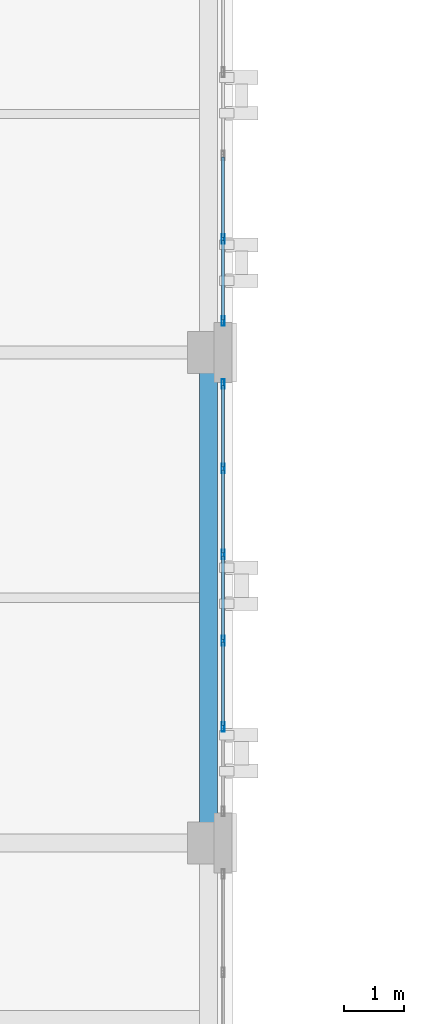
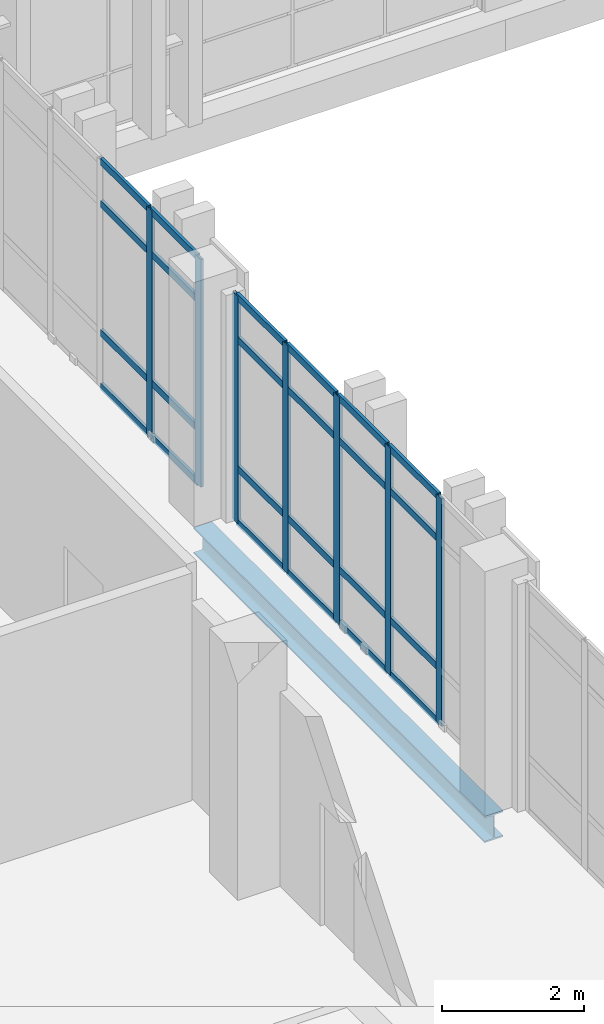
# One storey, part 83 of 193: 31 members, 1 beam, 2 elements without a shape of their own.
"""IFC4 building model written with IfcOpenShell, lengths in metres."""

import ifcopenshell
import ifcopenshell.guid

model = None  # the IFC model being written
_history = None  # IfcOwnerHistory: only IFC2X3 demands one
_inside = {}  # id of a spatial element -> (the spatial element, [elements in it])
_under = {}  # id of a project, library or spatial element -> (it, [spatial elements below it])
_declared = {}  # id of a project -> (the project, [libraries it declares])
_typed = {}  # id of a type object -> (the type object, [elements of that type])
_made_of = {}  # id of a material, layer set ... -> (it, [elements and type objects made of it])


def new_model(schema):
    """Start an empty IFC model of exactly this schema.

    Asked for "IFC4X3", IfcOpenShell would pick the latest addendum, in which some entities
    have other attributes; the version numbers below select the first issue.
    IFC2X3 requires an IfcOwnerHistory on every rooted entity: one is made here for all.
    """
    global model, _history
    if schema == "IFC4X3":
        model = ifcopenshell.file(schema_version=(4, 3, 0, 0))
    else:
        model = ifcopenshell.file(schema=schema)
    _inside.clear()
    _under.clear()
    _declared.clear()
    _typed.clear()
    _made_of.clear()
    _history = None
    if model.schema == "IFC2X3":
        org = make("IfcOrganization", Name="unknown")
        user = make(
            "IfcPersonAndOrganization",
            ThePerson=make("IfcPerson", FamilyName="unknown"),
            TheOrganization=org,
        )
        app = make(
            "IfcApplication",
            ApplicationDeveloper=org,
            Version="unknown",
            ApplicationFullName="unknown",
            ApplicationIdentifier="unknown",
        )
        _history = make(
            "IfcOwnerHistory",
            OwningUser=user,
            OwningApplication=app,
            ChangeAction="ADDED",
            CreationDate=0,
        )
    return model


def make(cls, **values):
    """One entity of the class cls with the attributes given. An attribute that is None is left unset."""
    return model.create_entity(
        cls, **{name: value for name, value in values.items() if value is not None}
    )


def rooted(cls, **values):
    """An entity with a GlobalId (a new one), such as an element, a storey or a relation."""
    return make(cls, GlobalId=ifcopenshell.guid.new(), OwnerHistory=_history, **values)


def si_unit(unit_type, name, prefix=None):
    """IfcSIUnit, for example si_unit("LENGTHUNIT", "METRE", prefix="MILLI")."""
    return make("IfcSIUnit", UnitType=unit_type, Prefix=prefix, Name=name)


def assignment(units):
    """IfcUnitAssignment: the units of a project."""
    return None if units is None else make("IfcUnitAssignment", Units=units)


def point(xyz):
    """IfcCartesianPoint."""
    return None if xyz is None else make("IfcCartesianPoint", Coordinates=xyz)


def direction(xyz):
    """IfcDirection."""
    return None if xyz is None else make("IfcDirection", DirectionRatios=xyz)


def frame(location, z_axis=None, x_axis=None):
    """IfcAxis2Placement3D, a coordinate frame: its origin and axes. An axis left out is left unset."""
    return make(
        "IfcAxis2Placement3D",
        Location=point(location),
        Axis=direction(z_axis),
        RefDirection=direction(x_axis),
    )


def frame_2d(location, x_axis=None):
    """IfcAxis2Placement2D, a coordinate frame in the plane: its origin and x axis."""
    return make(
        "IfcAxis2Placement2D", Location=point(location), RefDirection=direction(x_axis)
    )


def origin():
    """The frame at (0, 0, 0) with its axes left unset."""
    return frame((0.0, 0.0, 0.0))


def origin_2d():
    """The frame at (0, 0) in the plane with its x axis left unset."""
    return frame_2d((0.0, 0.0))


def place(relative_to, where):
    """IfcLocalPlacement: puts the frame where relative to a parent placement (None: the world)."""
    return make(
        "IfcLocalPlacement", PlacementRelTo=relative_to, RelativePlacement=where
    )


def context(
    kind, dimensions, precision=None, world=None, true_north=None, identifier=None
):
    """IfcGeometricRepresentationContext, for example the 3D "Model" context."""
    return make(
        "IfcGeometricRepresentationContext",
        ContextIdentifier=identifier,
        ContextType=kind,
        CoordinateSpaceDimension=dimensions,
        Precision=precision,
        WorldCoordinateSystem=world,
        TrueNorth=true_north,
    )


def subcontext(parent, identifier, kind, view, scale=None):
    """IfcGeometricRepresentationSubContext, for example "Body" below "Model"."""
    return make(
        "IfcGeometricRepresentationSubContext",
        ContextIdentifier=identifier,
        ContextType=kind,
        ParentContext=parent,
        TargetScale=scale,
        TargetView=view,
    )


def project(units=None, contexts=None):
    """IfcProject with its units and contexts."""
    return rooted(
        "IfcProject",
        Name="project",
        RepresentationContexts=contexts,
        UnitsInContext=assignment(units),
    )


def spatial(cls, under=None, at=None, **own):
    """A site, building, storey or space (cls), placed at a placement, below another one or the project."""
    s = rooted(cls, ObjectPlacement=at, **own)
    if under is not None:
        _under.setdefault(under.id(), (under, []))[1].append(s)
    return s


def profile(cls, at=None, kind="AREA", **sizes):
    """A parametric profile (cls). Its sizes go by their IFC names, for example OverallWidth=200.0."""
    return make(cls, ProfileType=kind, Position=at, **sizes)


def hollow_rectangle(**sizes):
    """IfcRectangleHollowProfileDef."""
    return profile("IfcRectangleHollowProfileDef", **sizes)


def i_section(**sizes):
    """IfcIShapeProfileDef."""
    return profile("IfcIShapeProfileDef", **sizes)


def extrude(swept, where, along, depth):
    """IfcExtrudedAreaSolid: the profile swept, set in the frame where, extruded along a direction by depth."""
    return make(
        "IfcExtrudedAreaSolid",
        SweptArea=swept,
        Position=where,
        ExtrudedDirection=direction(along),
        Depth=depth,
    )


def shape(context_of_items, identifier, shape_type, items):
    """IfcShapeRepresentation: the items that make up one representation, for example the "Body"."""
    return make(
        "IfcShapeRepresentation",
        ContextOfItems=context_of_items,
        RepresentationIdentifier=identifier,
        RepresentationType=shape_type,
        Items=items,
    )


def material(Name=None, Category=None):
    """IfcMaterial."""
    return make("IfcMaterial", Name=Name, Category=Category)


def layer(
    of_material, thickness, ventilated=None, Name=None, Category=None, Priority=None
):
    """IfcMaterialLayer: one layer of a wall or slab, of a material (None: an air gap)."""
    return make(
        "IfcMaterialLayer",
        Material=of_material,
        LayerThickness=thickness,
        IsVentilated=ventilated,
        Name=Name,
        Category=Category,
        Priority=Priority,
    )


def layer_set(layers, Name=None):
    """IfcMaterialLayerSet."""
    return make("IfcMaterialLayerSet", MaterialLayers=layers, LayerSetName=Name)


def material_profile(
    of_material, cross_section, Name=None, Category=None, Priority=None
):
    """IfcMaterialProfile: a cross section and its material."""
    return make(
        "IfcMaterialProfile",
        Name=Name,
        Material=of_material,
        Profile=cross_section,
        Priority=Priority,
        Category=Category,
    )


def profile_set(profiles, Name=None, composite=None):
    """IfcMaterialProfileSet."""
    return make(
        "IfcMaterialProfileSet",
        Name=Name,
        MaterialProfiles=profiles,
        CompositeProfile=composite,
    )


def made_of(thing, what):
    """Note that an element or type object is made of a material, layer set ...; save() writes the relation."""
    if what is not None:
        _made_of.setdefault(what.id(), (what, []))[1].append(thing)
    return thing


def type_object(cls, material=None, **own):
    """A type object (cls), such as IfcWallType, which elements share."""
    return made_of(rooted(cls, **own), material)


def element(
    cls,
    number,
    at=None,
    inside=None,
    cuts=None,
    type_object=None,
    material=None,
    context=None,
    identifier="Body",
    shape_type=None,
    held_by="IfcProductDefinitionShape",
    body=None,
    shapes=None,
    **own,
):
    """One element of the class cls, such as IfcWall. Its Tag is "e" and its number.

    at: its placement. inside: the storey or other place that contains it. cuts: it is an
    opening in that element (IfcRelVoidsElement). A single representation is given by context,
    identifier, shape_type and body (its items); several are given by shapes. held_by: the class
    of the entity that holds the representations. save() writes the other relations.
    """
    e = rooted(cls, Tag="e%d" % number, ObjectPlacement=at, **own)
    if body is not None:
        shapes = [shape(context, identifier, shape_type, body)]
    if shapes is not None:
        e.Representation = make(held_by, Representations=shapes)
    if inside is not None:
        _inside.setdefault(inside.id(), (inside, []))[1].append(e)
    if cuts is not None:
        rooted(
            "IfcRelVoidsElement", RelatingBuildingElement=cuts, RelatedOpeningElement=e
        )
    if type_object is not None:
        _typed.setdefault(type_object.id(), (type_object, []))[1].append(e)
    return made_of(e, material)


def aggregate(whole, parts):
    """IfcRelAggregates: a whole, such as a stair, and the parts it consists of."""
    return rooted("IfcRelAggregates", RelatingObject=whole, RelatedObjects=parts)


def save(model, path):
    """Write the relations noted so far, then the file.

    IfcRelAggregates (storeys below a building ...), IfcRelContainedInSpatialStructure (elements
    in a storey), IfcRelDefinesByType, IfcRelAssociatesMaterial and IfcRelDeclares: one each for
    every whole, place, type object, material and project.
    """
    for whole, parts in _under.values():
        aggregate(whole, parts)
    for where, things in _inside.values():
        rooted(
            "IfcRelContainedInSpatialStructure",
            RelatedElements=things,
            RelatingStructure=where,
        )
    for kind, things in _typed.values():
        rooted("IfcRelDefinesByType", RelatedObjects=things, RelatingType=kind)
    for what, things in _made_of.values():
        rooted("IfcRelAssociatesMaterial", RelatedObjects=things, RelatingMaterial=what)
    for by, libraries in _declared.values():
        rooted("IfcRelDeclares", RelatingContext=by, RelatedDefinitions=libraries)
    model.write(path)


model = new_model("IFC4")

# Units and contexts
model_context = context("Model", 3, precision=1e-05, world=origin(), true_north=direction((0.0, 1.0)))
body_context = subcontext(model_context, "Body", "Model", "MODEL_VIEW")
ifc_project = project(units=[si_unit("LENGTHUNIT", "METRE"), si_unit("AREAUNIT", "SQUARE_METRE"), si_unit("VOLUMEUNIT", "CUBIC_METRE"), si_unit("PLANEANGLEUNIT", "RADIAN"), si_unit("MASSUNIT", "GRAM", prefix="KILO")], contexts=[model_context])

# Site, building, storey
site_placement = place(None, origin())
site = spatial("IfcSite", under=ifc_project, at=site_placement, CompositionType="ELEMENT")
building_placement = place(site_placement, origin())
building = spatial("IfcBuilding", under=site, at=building_placement, Name="Qalavern Law Courts", CompositionType="ELEMENT")
storey_placement = place(building_placement, frame((0.0, 0.0, 10.199951171875)))
storey = spatial("IfcBuildingStorey", under=building, at=storey_placement, Name="L02", CompositionType="ELEMENT", Elevation=10.199951171875)

# Curtain wall, members
ifc_material_1 = material(Name="Anodised aluminium and insulated glazing", Category="aluminium")
ifc_layer = layer(ifc_material_1, 0.172119140625)
ifc_layer_set = layer_set([ifc_layer], Name="Anodised aluminium and insulated glazing")
curtain_wall_type = type_object("IfcCurtainWallType", Name="ENV-CW-COURT", PredefinedType="USERDEFINED", material=ifc_layer_set)
curtain_wall_1_placement = place(storey_placement, origin())
curtain_wall_1 = element("IfcCurtainWall", 1, at=curtain_wall_1_placement, inside=storey, type_object=curtain_wall_type, Name="V3 unitised curtain wall L02 east 6", ObjectType="UNITISED CURTAIN WALL", PredefinedType="USERDEFINED")
ifc_material_2 = material(Name="Anodised aluminium", Category="aluminium")
ifc_material_profile_1 = material_profile(ifc_material_2, hollow_rectangle(XDim=0.048095703125, YDim=0.159912109375, WallThickness=0.00390625, at=origin_2d()), Name="ALU MULLION 48x160")
ifc_profile_set_1 = profile_set([ifc_material_profile_1], Name="Anodised aluminium")
member_type_1 = type_object("IfcMemberType", Name="ENV-CWM-48x160", PredefinedType="MULLION", material=ifc_profile_set_1)
member_1_placement = place(storey_placement, frame((18.64501953125, 81.340087890625, 0.0), z_axis=(0.0, 0.0, 1.0), x_axis=(-1.0, 0.0, 0.0)))
member_1 = element("IfcMember", 2, at=member_1_placement, type_object=member_type_1, Name="CW-03 mullion 2", PredefinedType="MULLION", context=body_context, shape_type="SweptSolid", body=[
    extrude(hollow_rectangle(XDim=0.048095703125, YDim=0.159912109375, WallThickness=0.00390625, at=origin_2d()), origin(), (0.0, 0.0, 1.0), 3.9150390625),
])
member_2_placement = place(storey_placement, frame((18.64501953125, 82.780029296875, 0.0), z_axis=(0.0, 0.0, 1.0), x_axis=(-1.0, 0.0, 0.0)))
member_2 = element("IfcMember", 3, at=member_2_placement, type_object=member_type_1, Name="CW-03 mullion 3", PredefinedType="MULLION", context=body_context, shape_type="SweptSolid", body=[
    extrude(hollow_rectangle(XDim=0.048095703125, YDim=0.159912109375, WallThickness=0.00390625, at=origin_2d()), origin(), (0.0, 0.0, 1.0), 3.9150390625),
])
member_3_placement = place(storey_placement, frame((18.64501953125, 84.219970703125, 0.0), z_axis=(0.0, 0.0, 1.0), x_axis=(-1.0, 0.0, 0.0)))
member_3 = element("IfcMember", 4, at=member_3_placement, type_object=member_type_1, Name="CW-03 mullion 4", PredefinedType="MULLION", context=body_context, shape_type="SweptSolid", body=[
    extrude(hollow_rectangle(XDim=0.048095703125, YDim=0.159912109375, WallThickness=0.00390625, at=origin_2d()), origin(), (0.0, 0.0, 1.0), 3.9150390625),
])
member_4_placement = place(storey_placement, frame((18.64501953125, 85.659912109375, 0.0), z_axis=(0.0, 0.0, 1.0), x_axis=(-1.0, 0.0, 0.0)))
member_4 = element("IfcMember", 5, at=member_4_placement, type_object=member_type_1, Name="CW-03 mullion 5", PredefinedType="MULLION", context=body_context, shape_type="SweptSolid", body=[
    extrude(hollow_rectangle(XDim=0.048095703125, YDim=0.159912109375, WallThickness=0.00390625, at=origin_2d()), origin(), (0.0, 0.0, 1.0), 3.9150390625),
])
member_5_placement = place(storey_placement, frame((18.64501953125, 87.075927734375, 0.0), z_axis=(0.0, 0.0, 1.0), x_axis=(-1.0, 0.0, 0.0)))
member_5 = element("IfcMember", 6, at=member_5_placement, type_object=member_type_1, Name="CW-03 mullion 6", PredefinedType="MULLION", context=body_context, shape_type="SweptSolid", body=[
    extrude(hollow_rectangle(XDim=0.048095703125, YDim=0.159912109375, WallThickness=0.00390625, at=origin_2d()), origin(), (0.0, 0.0, 1.0), 3.9150390625),
])

curtain_wall_2_placement = place(storey_placement, origin())
curtain_wall_2 = element("IfcCurtainWall", 7, at=curtain_wall_2_placement, inside=storey, type_object=curtain_wall_type, Name="V3 unitised curtain wall L02 east 7", ObjectType="UNITISED CURTAIN WALL", PredefinedType="USERDEFINED")
member_6_placement = place(storey_placement, frame((18.64501953125, 88.1240234375, 0.0), z_axis=(0.0, 0.0, 1.0), x_axis=(-1.0, 0.0, 0.0)))
member_6 = element("IfcMember", 8, at=member_6_placement, type_object=member_type_1, Name="CW-03 mullion 1", PredefinedType="MULLION", context=body_context, shape_type="SweptSolid", body=[
    extrude(hollow_rectangle(XDim=0.048095703125, YDim=0.159912109375, WallThickness=0.00390625, at=origin_2d()), origin(), (0.0, 0.0, 1.0), 3.9150390625),
])
member_7_placement = place(storey_placement, frame((18.64501953125, 89.49609375, 0.0), z_axis=(0.0, 0.0, 1.0), x_axis=(-1.0, 0.0, 0.0)))
member_7 = element("IfcMember", 9, at=member_7_placement, type_object=member_type_1, Name="CW-03 mullion 2", PredefinedType="MULLION", context=body_context, shape_type="SweptSolid", body=[
    extrude(hollow_rectangle(XDim=0.048095703125, YDim=0.159912109375, WallThickness=0.00390625, at=origin_2d()), origin(), (0.0, 0.0, 1.0), 3.9150390625),
])

# Member
ifc_material_profile_2 = material_profile(ifc_material_2, hollow_rectangle(XDim=0.048095703125, YDim=0.1201171875, WallThickness=0.00390625, at=origin_2d()), Name="ALU TRANSOM 48x120")
ifc_profile_set_2 = profile_set([ifc_material_profile_2], Name="Anodised aluminium")
member_type_2 = type_object("IfcMemberType", Name="ENV-CWT-48x120", PredefinedType="USERDEFINED", material=ifc_profile_set_2)
member_8_placement = place(storey_placement, frame((18.64501953125, 81.364013671875, 0.024169921875), z_axis=(0.0, 1.0, 0.0), x_axis=(-1.0, 0.0, 0.0)))
member_8 = element("IfcMember", 10, at=member_8_placement, type_object=member_type_2, Name="CW-03 transom 2.1", ObjectType="TRANSOM", PredefinedType="USERDEFINED", context=body_context, shape_type="SweptSolid", body=[
    extrude(hollow_rectangle(XDim=0.048095703125, YDim=0.1201171875, WallThickness=0.00390625, at=origin_2d()), origin(), (0.0, 0.0, 1.0), 1.39208984375),
])

member_9_placement = place(storey_placement, frame((18.64501953125, 81.364013671875, 0.949951171875), z_axis=(0.0, 1.0, 0.0), x_axis=(-1.0, 0.0, 0.0)))
member_9 = element("IfcMember", 11, at=member_9_placement, type_object=member_type_2, Name="CW-03 transom 2.2", ObjectType="TRANSOM", PredefinedType="USERDEFINED", context=body_context, shape_type="SweptSolid", body=[
    extrude(hollow_rectangle(XDim=0.048095703125, YDim=0.1201171875, WallThickness=0.00390625, at=origin_2d()), origin(), (0.0, 0.0, 1.0), 1.39208984375),
])

member_10_placement = place(storey_placement, frame((18.64501953125, 81.364013671875, 3.1650390625), z_axis=(0.0, 1.0, 0.0), x_axis=(-1.0, 0.0, 0.0)))
member_10 = element("IfcMember", 12, at=member_10_placement, type_object=member_type_2, Name="CW-03 transom 2.3", ObjectType="TRANSOM", PredefinedType="USERDEFINED", context=body_context, shape_type="SweptSolid", body=[
    extrude(hollow_rectangle(XDim=0.048095703125, YDim=0.1201171875, WallThickness=0.00390625, at=origin_2d()), origin(), (0.0, 0.0, 1.0), 1.39208984375),
])

member_11_placement = place(storey_placement, frame((18.64501953125, 81.364013671875, 3.89111328125), z_axis=(0.0, 1.0, 0.0), x_axis=(-1.0, 0.0, 0.0)))
member_11 = element("IfcMember", 13, at=member_11_placement, type_object=member_type_2, Name="CW-03 transom 2.4", ObjectType="TRANSOM", PredefinedType="USERDEFINED", context=body_context, shape_type="SweptSolid", body=[
    extrude(hollow_rectangle(XDim=0.048095703125, YDim=0.1201171875, WallThickness=0.00390625, at=origin_2d()), origin(), (0.0, 0.0, 1.0), 1.39208984375),
])

member_12_placement = place(storey_placement, frame((18.64501953125, 82.803955078125, 0.024169921875), z_axis=(0.0, 1.0, 0.0), x_axis=(-1.0, 0.0, 0.0)))
member_12 = element("IfcMember", 14, at=member_12_placement, type_object=member_type_2, Name="CW-03 transom 3.1", ObjectType="TRANSOM", PredefinedType="USERDEFINED", context=body_context, shape_type="SweptSolid", body=[
    extrude(hollow_rectangle(XDim=0.048095703125, YDim=0.1201171875, WallThickness=0.00390625, at=origin_2d()), origin(), (0.0, 0.0, 1.0), 1.39208984375),
])

member_13_placement = place(storey_placement, frame((18.64501953125, 82.803955078125, 0.949951171875), z_axis=(0.0, 1.0, 0.0), x_axis=(-1.0, 0.0, 0.0)))
member_13 = element("IfcMember", 15, at=member_13_placement, type_object=member_type_2, Name="CW-03 transom 3.2", ObjectType="TRANSOM", PredefinedType="USERDEFINED", context=body_context, shape_type="SweptSolid", body=[
    extrude(hollow_rectangle(XDim=0.048095703125, YDim=0.1201171875, WallThickness=0.00390625, at=origin_2d()), origin(), (0.0, 0.0, 1.0), 1.39208984375),
])

member_14_placement = place(storey_placement, frame((18.64501953125, 82.803955078125, 3.1650390625), z_axis=(0.0, 1.0, 0.0), x_axis=(-1.0, 0.0, 0.0)))
member_14 = element("IfcMember", 16, at=member_14_placement, type_object=member_type_2, Name="CW-03 transom 3.3", ObjectType="TRANSOM", PredefinedType="USERDEFINED", context=body_context, shape_type="SweptSolid", body=[
    extrude(hollow_rectangle(XDim=0.048095703125, YDim=0.1201171875, WallThickness=0.00390625, at=origin_2d()), origin(), (0.0, 0.0, 1.0), 1.39208984375),
])

member_15_placement = place(storey_placement, frame((18.64501953125, 82.803955078125, 3.89111328125), z_axis=(0.0, 1.0, 0.0), x_axis=(-1.0, 0.0, 0.0)))
member_15 = element("IfcMember", 17, at=member_15_placement, type_object=member_type_2, Name="CW-03 transom 3.4", ObjectType="TRANSOM", PredefinedType="USERDEFINED", context=body_context, shape_type="SweptSolid", body=[
    extrude(hollow_rectangle(XDim=0.048095703125, YDim=0.1201171875, WallThickness=0.00390625, at=origin_2d()), origin(), (0.0, 0.0, 1.0), 1.39208984375),
])

member_16_placement = place(storey_placement, frame((18.64501953125, 84.243896484375, 0.024169921875), z_axis=(0.0, 1.0, 0.0), x_axis=(-1.0, 0.0, 0.0)))
member_16 = element("IfcMember", 18, at=member_16_placement, type_object=member_type_2, Name="CW-03 transom 4.1", ObjectType="TRANSOM", PredefinedType="USERDEFINED", context=body_context, shape_type="SweptSolid", body=[
    extrude(hollow_rectangle(XDim=0.048095703125, YDim=0.1201171875, WallThickness=0.00390625, at=origin_2d()), origin(), (0.0, 0.0, 1.0), 1.39208984375),
])

member_17_placement = place(storey_placement, frame((18.64501953125, 84.243896484375, 0.949951171875), z_axis=(0.0, 1.0, 0.0), x_axis=(-1.0, 0.0, 0.0)))
member_17 = element("IfcMember", 19, at=member_17_placement, type_object=member_type_2, Name="CW-03 transom 4.2", ObjectType="TRANSOM", PredefinedType="USERDEFINED", context=body_context, shape_type="SweptSolid", body=[
    extrude(hollow_rectangle(XDim=0.048095703125, YDim=0.1201171875, WallThickness=0.00390625, at=origin_2d()), origin(), (0.0, 0.0, 1.0), 1.39208984375),
])

member_18_placement = place(storey_placement, frame((18.64501953125, 84.243896484375, 3.1650390625), z_axis=(0.0, 1.0, 0.0), x_axis=(-1.0, 0.0, 0.0)))
member_18 = element("IfcMember", 20, at=member_18_placement, type_object=member_type_2, Name="CW-03 transom 4.3", ObjectType="TRANSOM", PredefinedType="USERDEFINED", context=body_context, shape_type="SweptSolid", body=[
    extrude(hollow_rectangle(XDim=0.048095703125, YDim=0.1201171875, WallThickness=0.00390625, at=origin_2d()), origin(), (0.0, 0.0, 1.0), 1.39208984375),
])

member_19_placement = place(storey_placement, frame((18.64501953125, 84.243896484375, 3.89111328125), z_axis=(0.0, 1.0, 0.0), x_axis=(-1.0, 0.0, 0.0)))
member_19 = element("IfcMember", 21, at=member_19_placement, type_object=member_type_2, Name="CW-03 transom 4.4", ObjectType="TRANSOM", PredefinedType="USERDEFINED", context=body_context, shape_type="SweptSolid", body=[
    extrude(hollow_rectangle(XDim=0.048095703125, YDim=0.1201171875, WallThickness=0.00390625, at=origin_2d()), origin(), (0.0, 0.0, 1.0), 1.39208984375),
])

member_20_placement = place(storey_placement, frame((18.64501953125, 85.68408203125, 0.024169921875), z_axis=(0.0, 1.0, 0.0), x_axis=(-1.0, 0.0, 0.0)))
member_20 = element("IfcMember", 22, at=member_20_placement, type_object=member_type_2, Name="CW-03 transom 5.1", ObjectType="TRANSOM", PredefinedType="USERDEFINED", context=body_context, shape_type="SweptSolid", body=[
    extrude(hollow_rectangle(XDim=0.048095703125, YDim=0.1201171875, WallThickness=0.00390625, at=origin_2d()), origin(), (0.0, 0.0, 1.0), 1.367919921875),
])

member_21_placement = place(storey_placement, frame((18.64501953125, 85.68408203125, 0.949951171875), z_axis=(0.0, 1.0, 0.0), x_axis=(-1.0, 0.0, 0.0)))
member_21 = element("IfcMember", 23, at=member_21_placement, type_object=member_type_2, Name="CW-03 transom 5.2", ObjectType="TRANSOM", PredefinedType="USERDEFINED", context=body_context, shape_type="SweptSolid", body=[
    extrude(hollow_rectangle(XDim=0.048095703125, YDim=0.1201171875, WallThickness=0.00390625, at=origin_2d()), origin(), (0.0, 0.0, 1.0), 1.367919921875),
])

member_22_placement = place(storey_placement, frame((18.64501953125, 85.68408203125, 3.1650390625), z_axis=(0.0, 1.0, 0.0), x_axis=(-1.0, 0.0, 0.0)))
member_22 = element("IfcMember", 24, at=member_22_placement, type_object=member_type_2, Name="CW-03 transom 5.3", ObjectType="TRANSOM", PredefinedType="USERDEFINED", context=body_context, shape_type="SweptSolid", body=[
    extrude(hollow_rectangle(XDim=0.048095703125, YDim=0.1201171875, WallThickness=0.00390625, at=origin_2d()), origin(), (0.0, 0.0, 1.0), 1.367919921875),
])

member_23_placement = place(storey_placement, frame((18.64501953125, 85.68408203125, 3.89111328125), z_axis=(0.0, 1.0, 0.0), x_axis=(-1.0, 0.0, 0.0)))
member_23 = element("IfcMember", 25, at=member_23_placement, type_object=member_type_2, Name="CW-03 transom 5.4", ObjectType="TRANSOM", PredefinedType="USERDEFINED", context=body_context, shape_type="SweptSolid", body=[
    extrude(hollow_rectangle(XDim=0.048095703125, YDim=0.1201171875, WallThickness=0.00390625, at=origin_2d()), origin(), (0.0, 0.0, 1.0), 1.367919921875),
])

aggregate(curtain_wall_1, [member_1, member_2, member_3, member_4, member_5, member_8, member_9, member_10, member_11, member_12, member_13, member_14, member_15, member_16, member_17, member_18, member_19, member_20, member_21, member_22, member_23])

member_24_placement = place(storey_placement, frame((18.64501953125, 88.14794921875, 0.024169921875), z_axis=(0.0, 1.0, 0.0), x_axis=(-1.0, 0.0, 0.0)))
member_24 = element("IfcMember", 26, at=member_24_placement, type_object=member_type_2, Name="CW-03 transom 1.1", ObjectType="TRANSOM", PredefinedType="USERDEFINED", context=body_context, shape_type="SweptSolid", body=[
    extrude(hollow_rectangle(XDim=0.048095703125, YDim=0.1201171875, WallThickness=0.00390625, at=origin_2d()), origin(), (0.0, 0.0, 1.0), 1.323974609375),
])

member_25_placement = place(storey_placement, frame((18.64501953125, 88.14794921875, 0.949951171875), z_axis=(0.0, 1.0, 0.0), x_axis=(-1.0, 0.0, 0.0)))
member_25 = element("IfcMember", 27, at=member_25_placement, type_object=member_type_2, Name="CW-03 transom 1.2", ObjectType="TRANSOM", PredefinedType="USERDEFINED", context=body_context, shape_type="SweptSolid", body=[
    extrude(hollow_rectangle(XDim=0.048095703125, YDim=0.1201171875, WallThickness=0.00390625, at=origin_2d()), origin(), (0.0, 0.0, 1.0), 1.323974609375),
])

member_26_placement = place(storey_placement, frame((18.64501953125, 88.14794921875, 3.1650390625), z_axis=(0.0, 1.0, 0.0), x_axis=(-1.0, 0.0, 0.0)))
member_26 = element("IfcMember", 28, at=member_26_placement, type_object=member_type_2, Name="CW-03 transom 1.3", ObjectType="TRANSOM", PredefinedType="USERDEFINED", context=body_context, shape_type="SweptSolid", body=[
    extrude(hollow_rectangle(XDim=0.048095703125, YDim=0.1201171875, WallThickness=0.00390625, at=origin_2d()), origin(), (0.0, 0.0, 1.0), 1.323974609375),
])

member_27_placement = place(storey_placement, frame((18.64501953125, 88.14794921875, 3.89111328125), z_axis=(0.0, 1.0, 0.0), x_axis=(-1.0, 0.0, 0.0)))
member_27 = element("IfcMember", 29, at=member_27_placement, type_object=member_type_2, Name="CW-03 transom 1.4", ObjectType="TRANSOM", PredefinedType="USERDEFINED", context=body_context, shape_type="SweptSolid", body=[
    extrude(hollow_rectangle(XDim=0.048095703125, YDim=0.1201171875, WallThickness=0.00390625, at=origin_2d()), origin(), (0.0, 0.0, 1.0), 1.323974609375),
])

member_28_placement = place(storey_placement, frame((18.64501953125, 89.52001953125, 0.024169921875), z_axis=(0.0, 1.0, 0.0), x_axis=(-1.0, 0.0, 0.0)))
member_28 = element("IfcMember", 30, at=member_28_placement, type_object=member_type_2, Name="CW-03 transom 2.1", ObjectType="TRANSOM", PredefinedType="USERDEFINED", context=body_context, shape_type="SweptSolid", body=[
    extrude(hollow_rectangle(XDim=0.048095703125, YDim=0.1201171875, WallThickness=0.00390625, at=origin_2d()), origin(), (0.0, 0.0, 1.0), 1.347900390625),
])

member_29_placement = place(storey_placement, frame((18.64501953125, 89.52001953125, 0.949951171875), z_axis=(0.0, 1.0, 0.0), x_axis=(-1.0, 0.0, 0.0)))
member_29 = element("IfcMember", 31, at=member_29_placement, type_object=member_type_2, Name="CW-03 transom 2.2", ObjectType="TRANSOM", PredefinedType="USERDEFINED", context=body_context, shape_type="SweptSolid", body=[
    extrude(hollow_rectangle(XDim=0.048095703125, YDim=0.1201171875, WallThickness=0.00390625, at=origin_2d()), origin(), (0.0, 0.0, 1.0), 1.347900390625),
])

member_30_placement = place(storey_placement, frame((18.64501953125, 89.52001953125, 3.1650390625), z_axis=(0.0, 1.0, 0.0), x_axis=(-1.0, 0.0, 0.0)))
member_30 = element("IfcMember", 32, at=member_30_placement, type_object=member_type_2, Name="CW-03 transom 2.3", ObjectType="TRANSOM", PredefinedType="USERDEFINED", context=body_context, shape_type="SweptSolid", body=[
    extrude(hollow_rectangle(XDim=0.048095703125, YDim=0.1201171875, WallThickness=0.00390625, at=origin_2d()), origin(), (0.0, 0.0, 1.0), 1.347900390625),
])

member_31_placement = place(storey_placement, frame((18.64501953125, 89.52001953125, 3.89111328125), z_axis=(0.0, 1.0, 0.0), x_axis=(-1.0, 0.0, 0.0)))
member_31 = element("IfcMember", 33, at=member_31_placement, type_object=member_type_2, Name="CW-03 transom 2.4", ObjectType="TRANSOM", PredefinedType="USERDEFINED", context=body_context, shape_type="SweptSolid", body=[
    extrude(hollow_rectangle(XDim=0.048095703125, YDim=0.1201171875, WallThickness=0.00390625, at=origin_2d()), origin(), (0.0, 0.0, 1.0), 1.347900390625),
])

aggregate(curtain_wall_2, [member_6, member_7, member_24, member_25, member_26, member_27, member_28, member_29, member_30, member_31])

# Beam
ifc_material_3 = material(Name="Steel S355", Category="steel")
ifc_material_profile_3 = material_profile(ifc_material_3, i_section(OverallWidth=0.300048828125, OverallDepth=0.449951171875, WebThickness=0.013916015625, FlangeThickness=0.02587890625, FilletRadius=0.027099609375, at=origin_2d()), Name="HEB 450")
ifc_profile_set_3 = profile_set([ifc_material_profile_3], Name="Steel S355")
beam_type = type_object("IfcBeamType", Name="STR-SP-HEB450", PredefinedType="SPANDREL", material=ifc_profile_set_3)
beam_placement = place(storey_placement, frame((18.39990234375, 79.39990234375, -0.514892578125), z_axis=(0.0, 1.0, 0.0), x_axis=(-1.0, 0.0, 0.0)))
element("IfcBeam", 34, at=beam_placement, inside=storey, type_object=beam_type, Name="V3 Y-beam 3-6 L02", PredefinedType="SPANDREL", context=body_context, shape_type="SweptSolid", body=[
    extrude(i_section(OverallWidth=0.300048828125, OverallDepth=0.449951171875, WebThickness=0.013916015625, FlangeThickness=0.02587890625, FilletRadius=0.027099609375, at=origin_2d()), origin(), (0.0, 0.0, 1.0), 8.2001953125),
])

save(model, "model.ifc")
